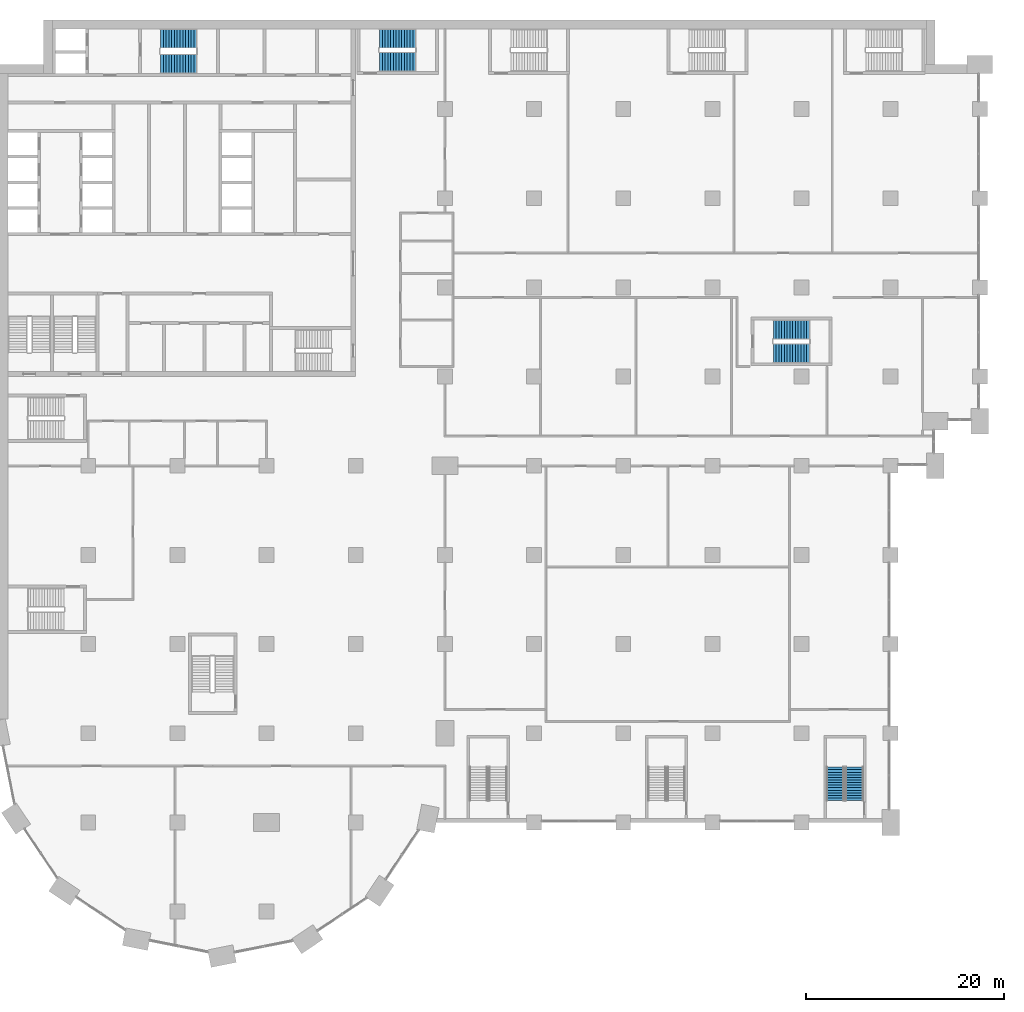
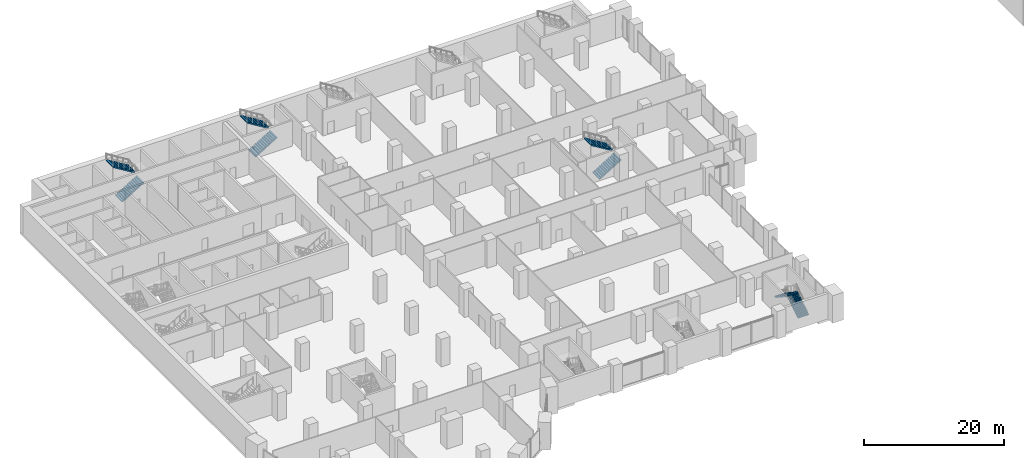
# One storey, part 23 of 31: 8 stair flights, 4 elements without a shape of their own.
"""IFC4 building model written with IfcOpenShell, lengths in metres."""

from ifc_helpers import new_model, si_unit, direction, frame, origin, place, context, subcontext, project, spatial, polyline, outline, extrude, material, type_object, element, aggregate, save


model = new_model("IFC4")

# Units and contexts
model_context = context("Model", 3, precision=1e-05, world=origin(), true_north=direction((0.0, 1.0)))
body_context = subcontext(model_context, "Body", "Model", "MODEL_VIEW")
ifc_project = project(units=[si_unit("LENGTHUNIT", "METRE"), si_unit("AREAUNIT", "SQUARE_METRE"), si_unit("VOLUMEUNIT", "CUBIC_METRE"), si_unit("PLANEANGLEUNIT", "RADIAN"), si_unit("MASSUNIT", "GRAM", prefix="KILO")], contexts=[model_context])

# Site, building, storey
site_placement = place(None, origin())
site = spatial("IfcSite", under=ifc_project, at=site_placement, CompositionType="ELEMENT")
building_placement = place(site_placement, origin())
building = spatial("IfcBuilding", under=site, at=building_placement, Name="Hunhe Ridgeline Campus", CompositionType="ELEMENT")
storey_placement = place(building_placement, frame((0.0, 0.0, 16.800048828125)))
storey = spatial("IfcBuildingStorey", under=building, at=storey_placement, Name="L03", CompositionType="ELEMENT", Elevation=16.800048828125)

# Stair, stair flights
ifc_material = material(Name="Concrete C40", Category="concrete")
stair_type_1 = type_object("IfcStairType", Name="Podium exit stair 1800", PredefinedType="HALF_TURN_STAIR", material=ifc_material)
stair_1_placement = place(storey_placement, origin())
stair_1 = element("IfcStair", 1, at=stair_1_placement, inside=storey, type_object=stair_type_1, Name="L03 podium stair PS3", PredefinedType="HALF_TURN_STAIR")
stair_flight_type_1 = type_object("IfcStairFlightType", Name="Podium stair flight 1800", PredefinedType="STRAIGHT", material=ifc_material)
stair_flight_1_placement = place(storey_placement, frame((86.35009765625, 20.199951171875, 0.0), z_axis=(0.0, 0.0, 1.0), x_axis=(0.0, 1.0, 0.0)))
stair_flight_1 = element("IfcStairFlight", 2, at=stair_flight_1_placement, type_object=stair_flight_type_1, Name="PS3 flight 1", NumberOfRisers=14, NumberOfTreads=13, PredefinedType="STRAIGHT", RiserHeight=0.171428571, TreadLength=0.26, context=body_context, shape_type="SweptSolid", body=[
    extrude(outline(polyline([(0.0, 0.0), (0.0, 0.17138671875), (0.260009765625, 0.17138671875), (0.260009765625, 0.3427734375), (0.52001953125, 0.3427734375), (0.52001953125, 0.514404296875), (0.780029296875, 0.514404296875), (0.780029296875, 0.685791015625), (1.0400390625, 0.685791015625), (1.0400390625, 0.857177734375), (1.300048828125, 0.857177734375), (1.300048828125, 1.028564453125), (1.56005859375, 1.028564453125), (1.56005859375, 1.199951171875), (1.820068359375, 1.199951171875), (1.820068359375, 1.371337890625), (2.080078125, 1.371337890625), (2.080078125, 1.54296875), (2.340087890625, 1.54296875), (2.340087890625, 1.71435546875), (2.60009765625, 1.71435546875), (2.60009765625, 1.8857421875), (2.860107421875, 1.8857421875), (2.860107421875, 2.05712890625), (3.1201171875, 2.05712890625), (3.1201171875, 2.228515625), (3.3798828125, 2.228515625), (3.3798828125, 2.39990234375), (3.3798828125, 2.049072265625), (0.272216796875, 0.0), (0.0, 0.0)])), frame((0.0, 0.89990234375, 0.0), z_axis=(0.0, -1.0, 0.0), x_axis=(1.0, 0.0, 0.0)), (0.0, 0.0, 1.0), 1.800048828125),
])
stair_flight_2_placement = place(storey_placement, frame((84.39990234375, 23.580078125, 2.39990234375), z_axis=(0.0, 0.0, 1.0), x_axis=(0.0, -1.0, 0.0)))
stair_flight_2 = element("IfcStairFlight", 3, at=stair_flight_2_placement, type_object=stair_flight_type_1, Name="PS3 flight 2", NumberOfRisers=14, NumberOfTreads=13, PredefinedType="STRAIGHT", RiserHeight=0.171428571, TreadLength=0.26, context=body_context, shape_type="SweptSolid", body=[
    extrude(outline(polyline([(0.0, 0.0), (0.0, 0.17138671875), (0.260009765625, 0.17138671875), (0.260009765625, 0.3427734375), (0.52001953125, 0.3427734375), (0.52001953125, 0.514404296875), (0.780029296875, 0.514404296875), (0.780029296875, 0.685791015625), (1.0400390625, 0.685791015625), (1.0400390625, 0.857177734375), (1.300048828125, 0.857177734375), (1.300048828125, 1.028564453125), (1.56005859375, 1.028564453125), (1.56005859375, 1.199951171875), (1.820068359375, 1.199951171875), (1.820068359375, 1.371337890625), (2.080078125, 1.371337890625), (2.080078125, 1.54296875), (2.340087890625, 1.54296875), (2.340087890625, 1.71435546875), (2.60009765625, 1.71435546875), (2.60009765625, 1.8857421875), (2.860107421875, 1.8857421875), (2.860107421875, 2.05712890625), (3.1201171875, 2.05712890625), (3.1201171875, 2.228515625), (3.3798828125, 2.228515625), (3.3798828125, 2.39990234375), (3.3798828125, 2.049072265625), (0.272216796875, 0.0), (0.0, 0.0)])), frame((0.0, 0.89990234375, 0.0), z_axis=(0.0, -1.0, 0.0), x_axis=(1.0, 0.0, 0.0)), (0.0, 0.0, 1.0), 1.800048828125),
])
aggregate(stair_1, [stair_flight_1, stair_flight_2])

stair_type_2 = type_object("IfcStairType", Name="Reinforced concrete dog-leg stair 1950 Concrete C40", PredefinedType="HALF_TURN_STAIR", material=ifc_material)
stair_2_placement = place(storey_placement, origin())
stair_2 = element("IfcStair", 4, at=stair_2_placement, inside=storey, type_object=stair_type_2, Name="L03 S1", PredefinedType="HALF_TURN_STAIR")
stair_flight_type_2 = type_object("IfcStairFlightType", Name="Reinforced concrete stair flight 1950 Concrete C40", PredefinedType="STRAIGHT", material=ifc_material)
stair_flight_3_placement = place(storey_placement, frame((16.300048828125, 94.574951171875, 0.0), z_axis=(0.0, 0.0, 1.0), x_axis=(1.0, 0.0, 0.0)))
stair_flight_3 = element("IfcStairFlight", 5, at=stair_flight_3_placement, type_object=stair_flight_type_2, Name="ST1 flight 1", NumberOfRisers=14, NumberOfTreads=13, PredefinedType="STRAIGHT", RiserHeight=0.171428571, TreadLength=0.28, context=body_context, shape_type="SweptSolid", body=[
    extrude(outline(polyline([(0.0, 0.0), (0.0, 0.17138671875), (0.280029296875, 0.17138671875), (0.280029296875, 0.3427734375), (0.56005859375, 0.3427734375), (0.56005859375, 0.514404296875), (0.840087890625, 0.514404296875), (0.840087890625, 0.685791015625), (1.1201171875, 0.685791015625), (1.1201171875, 0.857177734375), (1.39990234375, 0.857177734375), (1.39990234375, 1.028564453125), (1.679931640625, 1.028564453125), (1.679931640625, 1.199951171875), (1.9599609375, 1.199951171875), (1.9599609375, 1.371337890625), (2.239990234375, 1.371337890625), (2.239990234375, 1.54296875), (2.52001953125, 1.54296875), (2.52001953125, 1.71435546875), (2.800048828125, 1.71435546875), (2.800048828125, 1.8857421875), (3.080078125, 1.8857421875), (3.080078125, 2.05712890625), (3.360107421875, 2.05712890625), (3.360107421875, 2.228515625), (3.639892578125, 2.228515625), (3.639892578125, 2.39990234375), (3.639892578125, 2.052734375), (0.287109375, 0.0), (0.0, 0.0)])), frame((0.0, 0.97509765625, 0.0), z_axis=(0.0, -1.0, 0.0), x_axis=(1.0, 0.0, 0.0)), (0.0, 0.0, 1.0), 1.949951171875),
    extrude(outline(polyline([(0.030029296875, 0.030029296875), (0.030029296875, 0.141357421875), (0.31005859375, 0.141357421875), (0.31005859375, 0.31298828125), (0.590087890625, 0.31298828125), (0.590087890625, 0.484375), (0.8701171875, 0.484375), (0.8701171875, 0.65576171875), (1.14990234375, 0.65576171875), (1.14990234375, 0.8271484375), (1.429931640625, 0.8271484375), (1.429931640625, 0.99853515625), (1.7099609375, 0.99853515625), (1.7099609375, 1.169921875), (1.989990234375, 1.169921875), (1.989990234375, 1.34130859375), (2.27001953125, 1.34130859375), (2.27001953125, 1.512939453125), (2.550048828125, 1.512939453125), (2.550048828125, 1.684326171875), (2.830078125, 1.684326171875), (2.830078125, 1.855712890625), (3.110107421875, 1.855712890625), (3.110107421875, 2.027099609375), (3.389892578125, 2.027099609375), (3.389892578125, 2.198486328125), (3.610107421875, 2.198486328125), (3.610107421875, 2.069580078125), (0.278564453125, 0.030029296875), (0.030029296875, 0.030029296875)])), frame((0.0, -0.070068359375, 0.0), z_axis=(0.0, -1.0, 0.0), x_axis=(1.0, 0.0, 0.0)), (0.0, 0.0, 1.0), 0.019775390625),
    extrude(outline(polyline([(0.030029296875, 0.030029296875), (0.030029296875, 0.141357421875), (0.31005859375, 0.141357421875), (0.31005859375, 0.31298828125), (0.590087890625, 0.31298828125), (0.590087890625, 0.484375), (0.8701171875, 0.484375), (0.8701171875, 0.65576171875), (1.14990234375, 0.65576171875), (1.14990234375, 0.8271484375), (1.429931640625, 0.8271484375), (1.429931640625, 0.99853515625), (1.7099609375, 0.99853515625), (1.7099609375, 1.169921875), (1.989990234375, 1.169921875), (1.989990234375, 1.34130859375), (2.27001953125, 1.34130859375), (2.27001953125, 1.512939453125), (2.550048828125, 1.512939453125), (2.550048828125, 1.684326171875), (2.830078125, 1.684326171875), (2.830078125, 1.855712890625), (3.110107421875, 1.855712890625), (3.110107421875, 2.027099609375), (3.389892578125, 2.027099609375), (3.389892578125, 2.198486328125), (3.610107421875, 2.198486328125), (3.610107421875, 2.069580078125), (0.278564453125, 0.030029296875), (0.030029296875, 0.030029296875)])), frame((0.0, 0.010009765625, 0.0), z_axis=(0.0, -1.0, 0.0), x_axis=(1.0, 0.0, 0.0)), (0.0, 0.0, 1.0), 0.019775390625),
    extrude(outline(polyline([(0.030029296875, 0.030029296875), (0.030029296875, 0.141357421875), (0.31005859375, 0.141357421875), (0.31005859375, 0.31298828125), (0.590087890625, 0.31298828125), (0.590087890625, 0.484375), (0.8701171875, 0.484375), (0.8701171875, 0.65576171875), (1.14990234375, 0.65576171875), (1.14990234375, 0.8271484375), (1.429931640625, 0.8271484375), (1.429931640625, 0.99853515625), (1.7099609375, 0.99853515625), (1.7099609375, 1.169921875), (1.989990234375, 1.169921875), (1.989990234375, 1.34130859375), (2.27001953125, 1.34130859375), (2.27001953125, 1.512939453125), (2.550048828125, 1.512939453125), (2.550048828125, 1.684326171875), (2.830078125, 1.684326171875), (2.830078125, 1.855712890625), (3.110107421875, 1.855712890625), (3.110107421875, 2.027099609375), (3.389892578125, 2.027099609375), (3.389892578125, 2.198486328125), (3.610107421875, 2.198486328125), (3.610107421875, 2.069580078125), (0.278564453125, 0.030029296875), (0.030029296875, 0.030029296875)])), frame((0.0, 0.090087890625, 0.0), z_axis=(0.0, -1.0, 0.0), x_axis=(1.0, 0.0, 0.0)), (0.0, 0.0, 1.0), 0.019775390625),
])
stair_flight_4_placement = place(storey_placement, frame((19.93994140625, 97.125, 2.39990234375), z_axis=(0.0, 0.0, 1.0), x_axis=(-1.0, 0.0, 0.0)))
stair_flight_4 = element("IfcStairFlight", 6, at=stair_flight_4_placement, type_object=stair_flight_type_2, Name="ST1 flight 2", NumberOfRisers=14, NumberOfTreads=13, PredefinedType="STRAIGHT", RiserHeight=0.171428571, TreadLength=0.28, context=body_context, shape_type="SweptSolid", body=[
    extrude(outline(polyline([(0.0, 0.0), (0.0, 0.17138671875), (0.280029296875, 0.17138671875), (0.280029296875, 0.3427734375), (0.56005859375, 0.3427734375), (0.56005859375, 0.514404296875), (0.840087890625, 0.514404296875), (0.840087890625, 0.685791015625), (1.1201171875, 0.685791015625), (1.1201171875, 0.857177734375), (1.39990234375, 0.857177734375), (1.39990234375, 1.028564453125), (1.679931640625, 1.028564453125), (1.679931640625, 1.199951171875), (1.9599609375, 1.199951171875), (1.9599609375, 1.371337890625), (2.239990234375, 1.371337890625), (2.239990234375, 1.54296875), (2.52001953125, 1.54296875), (2.52001953125, 1.71435546875), (2.800048828125, 1.71435546875), (2.800048828125, 1.8857421875), (3.080078125, 1.8857421875), (3.080078125, 2.05712890625), (3.360107421875, 2.05712890625), (3.360107421875, 2.228515625), (3.639892578125, 2.228515625), (3.639892578125, 2.39990234375), (3.639892578125, 2.052734375), (0.287109375, 0.0), (0.0, 0.0)])), frame((0.0, 0.97509765625, 0.0), z_axis=(0.0, -1.0, 0.0), x_axis=(1.0, 0.0, 0.0)), (0.0, 0.0, 1.0), 1.949951171875),
    extrude(outline(polyline([(0.030029296875, 0.030029296875), (0.030029296875, 0.141357421875), (0.31005859375, 0.141357421875), (0.31005859375, 0.31298828125), (0.590087890625, 0.31298828125), (0.590087890625, 0.484375), (0.8701171875, 0.484375), (0.8701171875, 0.65576171875), (1.14990234375, 0.65576171875), (1.14990234375, 0.8271484375), (1.429931640625, 0.8271484375), (1.429931640625, 0.99853515625), (1.7099609375, 0.99853515625), (1.7099609375, 1.169921875), (1.989990234375, 1.169921875), (1.989990234375, 1.34130859375), (2.27001953125, 1.34130859375), (2.27001953125, 1.512939453125), (2.550048828125, 1.512939453125), (2.550048828125, 1.684326171875), (2.830078125, 1.684326171875), (2.830078125, 1.855712890625), (3.110107421875, 1.855712890625), (3.110107421875, 2.027099609375), (3.389892578125, 2.027099609375), (3.389892578125, 2.198486328125), (3.610107421875, 2.198486328125), (3.610107421875, 2.069580078125), (0.278564453125, 0.030029296875), (0.030029296875, 0.030029296875)])), frame((0.0, -0.070068359375, 0.0), z_axis=(0.0, -1.0, 0.0), x_axis=(1.0, 0.0, 0.0)), (0.0, 0.0, 1.0), 0.019775390625),
    extrude(outline(polyline([(0.030029296875, 0.030029296875), (0.030029296875, 0.141357421875), (0.31005859375, 0.141357421875), (0.31005859375, 0.31298828125), (0.590087890625, 0.31298828125), (0.590087890625, 0.484375), (0.8701171875, 0.484375), (0.8701171875, 0.65576171875), (1.14990234375, 0.65576171875), (1.14990234375, 0.8271484375), (1.429931640625, 0.8271484375), (1.429931640625, 0.99853515625), (1.7099609375, 0.99853515625), (1.7099609375, 1.169921875), (1.989990234375, 1.169921875), (1.989990234375, 1.34130859375), (2.27001953125, 1.34130859375), (2.27001953125, 1.512939453125), (2.550048828125, 1.512939453125), (2.550048828125, 1.684326171875), (2.830078125, 1.684326171875), (2.830078125, 1.855712890625), (3.110107421875, 1.855712890625), (3.110107421875, 2.027099609375), (3.389892578125, 2.027099609375), (3.389892578125, 2.198486328125), (3.610107421875, 2.198486328125), (3.610107421875, 2.069580078125), (0.278564453125, 0.030029296875), (0.030029296875, 0.030029296875)])), frame((0.0, 0.010009765625, 0.0), z_axis=(0.0, -1.0, 0.0), x_axis=(1.0, 0.0, 0.0)), (0.0, 0.0, 1.0), 0.019775390625),
    extrude(outline(polyline([(0.030029296875, 0.030029296875), (0.030029296875, 0.141357421875), (0.31005859375, 0.141357421875), (0.31005859375, 0.31298828125), (0.590087890625, 0.31298828125), (0.590087890625, 0.484375), (0.8701171875, 0.484375), (0.8701171875, 0.65576171875), (1.14990234375, 0.65576171875), (1.14990234375, 0.8271484375), (1.429931640625, 0.8271484375), (1.429931640625, 0.99853515625), (1.7099609375, 0.99853515625), (1.7099609375, 1.169921875), (1.989990234375, 1.169921875), (1.989990234375, 1.34130859375), (2.27001953125, 1.34130859375), (2.27001953125, 1.512939453125), (2.550048828125, 1.512939453125), (2.550048828125, 1.684326171875), (2.830078125, 1.684326171875), (2.830078125, 1.855712890625), (3.110107421875, 1.855712890625), (3.110107421875, 2.027099609375), (3.389892578125, 2.027099609375), (3.389892578125, 2.198486328125), (3.610107421875, 2.198486328125), (3.610107421875, 2.069580078125), (0.278564453125, 0.030029296875), (0.030029296875, 0.030029296875)])), frame((0.0, 0.090087890625, 0.0), z_axis=(0.0, -1.0, 0.0), x_axis=(1.0, 0.0, 0.0)), (0.0, 0.0, 1.0), 0.019775390625),
])
aggregate(stair_2, [stair_flight_3, stair_flight_4])

stair_3_placement = place(storey_placement, origin())
stair_3 = element("IfcStair", 7, at=stair_3_placement, inside=storey, type_object=stair_type_2, Name="L03 E1", PredefinedType="HALF_TURN_STAIR")
stair_flight_5_placement = place(storey_placement, frame((38.39990234375, 94.77490234375, 0.0), z_axis=(0.0, 0.0, 1.0), x_axis=(1.0, 0.0, 0.0)))
stair_flight_5 = element("IfcStairFlight", 8, at=stair_flight_5_placement, type_object=stair_flight_type_2, Name="ST5 flight 1", NumberOfRisers=14, NumberOfTreads=13, PredefinedType="STRAIGHT", RiserHeight=0.171428571, TreadLength=0.28, context=body_context, shape_type="SweptSolid", body=[
    extrude(outline(polyline([(0.0, 0.0), (0.0, 0.17138671875), (0.280029296875, 0.17138671875), (0.280029296875, 0.3427734375), (0.56005859375, 0.3427734375), (0.56005859375, 0.514404296875), (0.840087890625, 0.514404296875), (0.840087890625, 0.685791015625), (1.1201171875, 0.685791015625), (1.1201171875, 0.857177734375), (1.39990234375, 0.857177734375), (1.39990234375, 1.028564453125), (1.679931640625, 1.028564453125), (1.679931640625, 1.199951171875), (1.9599609375, 1.199951171875), (1.9599609375, 1.371337890625), (2.239990234375, 1.371337890625), (2.239990234375, 1.54296875), (2.52001953125, 1.54296875), (2.52001953125, 1.71435546875), (2.800048828125, 1.71435546875), (2.800048828125, 1.8857421875), (3.080078125, 1.8857421875), (3.080078125, 2.05712890625), (3.360107421875, 2.05712890625), (3.360107421875, 2.228515625), (3.639892578125, 2.228515625), (3.639892578125, 2.39990234375), (3.639892578125, 2.052734375), (0.287109375, 0.0), (0.0, 0.0)])), frame((0.0, 0.97509765625, 0.0), z_axis=(0.0, -1.0, 0.0), x_axis=(1.0, 0.0, 0.0)), (0.0, 0.0, 1.0), 1.949951171875),
    extrude(outline(polyline([(0.030029296875, 0.030029296875), (0.030029296875, 0.141357421875), (0.31005859375, 0.141357421875), (0.31005859375, 0.31298828125), (0.590087890625, 0.31298828125), (0.590087890625, 0.484375), (0.8701171875, 0.484375), (0.8701171875, 0.65576171875), (1.14990234375, 0.65576171875), (1.14990234375, 0.8271484375), (1.429931640625, 0.8271484375), (1.429931640625, 0.99853515625), (1.7099609375, 0.99853515625), (1.7099609375, 1.169921875), (1.989990234375, 1.169921875), (1.989990234375, 1.34130859375), (2.27001953125, 1.34130859375), (2.27001953125, 1.512939453125), (2.550048828125, 1.512939453125), (2.550048828125, 1.684326171875), (2.830078125, 1.684326171875), (2.830078125, 1.855712890625), (3.110107421875, 1.855712890625), (3.110107421875, 2.027099609375), (3.389892578125, 2.027099609375), (3.389892578125, 2.198486328125), (3.610107421875, 2.198486328125), (3.610107421875, 2.069580078125), (0.278564453125, 0.030029296875), (0.030029296875, 0.030029296875)])), frame((0.0, -0.070068359375, 0.0), z_axis=(0.0, -1.0, 0.0), x_axis=(1.0, 0.0, 0.0)), (0.0, 0.0, 1.0), 0.019775390625),
    extrude(outline(polyline([(0.030029296875, 0.030029296875), (0.030029296875, 0.141357421875), (0.31005859375, 0.141357421875), (0.31005859375, 0.31298828125), (0.590087890625, 0.31298828125), (0.590087890625, 0.484375), (0.8701171875, 0.484375), (0.8701171875, 0.65576171875), (1.14990234375, 0.65576171875), (1.14990234375, 0.8271484375), (1.429931640625, 0.8271484375), (1.429931640625, 0.99853515625), (1.7099609375, 0.99853515625), (1.7099609375, 1.169921875), (1.989990234375, 1.169921875), (1.989990234375, 1.34130859375), (2.27001953125, 1.34130859375), (2.27001953125, 1.512939453125), (2.550048828125, 1.512939453125), (2.550048828125, 1.684326171875), (2.830078125, 1.684326171875), (2.830078125, 1.855712890625), (3.110107421875, 1.855712890625), (3.110107421875, 2.027099609375), (3.389892578125, 2.027099609375), (3.389892578125, 2.198486328125), (3.610107421875, 2.198486328125), (3.610107421875, 2.069580078125), (0.278564453125, 0.030029296875), (0.030029296875, 0.030029296875)])), frame((0.0, 0.010009765625, 0.0), z_axis=(0.0, -1.0, 0.0), x_axis=(1.0, 0.0, 0.0)), (0.0, 0.0, 1.0), 0.019775390625),
    extrude(outline(polyline([(0.030029296875, 0.030029296875), (0.030029296875, 0.141357421875), (0.31005859375, 0.141357421875), (0.31005859375, 0.31298828125), (0.590087890625, 0.31298828125), (0.590087890625, 0.484375), (0.8701171875, 0.484375), (0.8701171875, 0.65576171875), (1.14990234375, 0.65576171875), (1.14990234375, 0.8271484375), (1.429931640625, 0.8271484375), (1.429931640625, 0.99853515625), (1.7099609375, 0.99853515625), (1.7099609375, 1.169921875), (1.989990234375, 1.169921875), (1.989990234375, 1.34130859375), (2.27001953125, 1.34130859375), (2.27001953125, 1.512939453125), (2.550048828125, 1.512939453125), (2.550048828125, 1.684326171875), (2.830078125, 1.684326171875), (2.830078125, 1.855712890625), (3.110107421875, 1.855712890625), (3.110107421875, 2.027099609375), (3.389892578125, 2.027099609375), (3.389892578125, 2.198486328125), (3.610107421875, 2.198486328125), (3.610107421875, 2.069580078125), (0.278564453125, 0.030029296875), (0.030029296875, 0.030029296875)])), frame((0.0, 0.090087890625, 0.0), z_axis=(0.0, -1.0, 0.0), x_axis=(1.0, 0.0, 0.0)), (0.0, 0.0, 1.0), 0.019775390625),
])
stair_flight_6_placement = place(storey_placement, frame((42.0400390625, 97.125, 2.39990234375), z_axis=(0.0, 0.0, 1.0), x_axis=(-1.0, 0.0, 0.0)))
stair_flight_6 = element("IfcStairFlight", 9, at=stair_flight_6_placement, type_object=stair_flight_type_2, Name="ST5 flight 2", NumberOfRisers=14, NumberOfTreads=13, PredefinedType="STRAIGHT", RiserHeight=0.171428571, TreadLength=0.28, context=body_context, shape_type="SweptSolid", body=[
    extrude(outline(polyline([(0.0, 0.0), (0.0, 0.17138671875), (0.280029296875, 0.17138671875), (0.280029296875, 0.3427734375), (0.56005859375, 0.3427734375), (0.56005859375, 0.514404296875), (0.840087890625, 0.514404296875), (0.840087890625, 0.685791015625), (1.1201171875, 0.685791015625), (1.1201171875, 0.857177734375), (1.39990234375, 0.857177734375), (1.39990234375, 1.028564453125), (1.679931640625, 1.028564453125), (1.679931640625, 1.199951171875), (1.9599609375, 1.199951171875), (1.9599609375, 1.371337890625), (2.239990234375, 1.371337890625), (2.239990234375, 1.54296875), (2.52001953125, 1.54296875), (2.52001953125, 1.71435546875), (2.800048828125, 1.71435546875), (2.800048828125, 1.8857421875), (3.080078125, 1.8857421875), (3.080078125, 2.05712890625), (3.360107421875, 2.05712890625), (3.360107421875, 2.228515625), (3.639892578125, 2.228515625), (3.639892578125, 2.39990234375), (3.639892578125, 2.052734375), (0.287109375, 0.0), (0.0, 0.0)])), frame((0.0, 0.97509765625, 0.0), z_axis=(0.0, -1.0, 0.0), x_axis=(1.0, 0.0, 0.0)), (0.0, 0.0, 1.0), 1.949951171875),
    extrude(outline(polyline([(0.030029296875, 0.030029296875), (0.030029296875, 0.141357421875), (0.31005859375, 0.141357421875), (0.31005859375, 0.31298828125), (0.590087890625, 0.31298828125), (0.590087890625, 0.484375), (0.8701171875, 0.484375), (0.8701171875, 0.65576171875), (1.14990234375, 0.65576171875), (1.14990234375, 0.8271484375), (1.429931640625, 0.8271484375), (1.429931640625, 0.99853515625), (1.7099609375, 0.99853515625), (1.7099609375, 1.169921875), (1.989990234375, 1.169921875), (1.989990234375, 1.34130859375), (2.27001953125, 1.34130859375), (2.27001953125, 1.512939453125), (2.550048828125, 1.512939453125), (2.550048828125, 1.684326171875), (2.830078125, 1.684326171875), (2.830078125, 1.855712890625), (3.110107421875, 1.855712890625), (3.110107421875, 2.027099609375), (3.389892578125, 2.027099609375), (3.389892578125, 2.198486328125), (3.610107421875, 2.198486328125), (3.610107421875, 2.069580078125), (0.278564453125, 0.030029296875), (0.030029296875, 0.030029296875)])), frame((0.0, -0.070068359375, 0.0), z_axis=(0.0, -1.0, 0.0), x_axis=(1.0, 0.0, 0.0)), (0.0, 0.0, 1.0), 0.019775390625),
    extrude(outline(polyline([(0.030029296875, 0.030029296875), (0.030029296875, 0.141357421875), (0.31005859375, 0.141357421875), (0.31005859375, 0.31298828125), (0.590087890625, 0.31298828125), (0.590087890625, 0.484375), (0.8701171875, 0.484375), (0.8701171875, 0.65576171875), (1.14990234375, 0.65576171875), (1.14990234375, 0.8271484375), (1.429931640625, 0.8271484375), (1.429931640625, 0.99853515625), (1.7099609375, 0.99853515625), (1.7099609375, 1.169921875), (1.989990234375, 1.169921875), (1.989990234375, 1.34130859375), (2.27001953125, 1.34130859375), (2.27001953125, 1.512939453125), (2.550048828125, 1.512939453125), (2.550048828125, 1.684326171875), (2.830078125, 1.684326171875), (2.830078125, 1.855712890625), (3.110107421875, 1.855712890625), (3.110107421875, 2.027099609375), (3.389892578125, 2.027099609375), (3.389892578125, 2.198486328125), (3.610107421875, 2.198486328125), (3.610107421875, 2.069580078125), (0.278564453125, 0.030029296875), (0.030029296875, 0.030029296875)])), frame((0.0, 0.010009765625, 0.0), z_axis=(0.0, -1.0, 0.0), x_axis=(1.0, 0.0, 0.0)), (0.0, 0.0, 1.0), 0.019775390625),
    extrude(outline(polyline([(0.030029296875, 0.030029296875), (0.030029296875, 0.141357421875), (0.31005859375, 0.141357421875), (0.31005859375, 0.31298828125), (0.590087890625, 0.31298828125), (0.590087890625, 0.484375), (0.8701171875, 0.484375), (0.8701171875, 0.65576171875), (1.14990234375, 0.65576171875), (1.14990234375, 0.8271484375), (1.429931640625, 0.8271484375), (1.429931640625, 0.99853515625), (1.7099609375, 0.99853515625), (1.7099609375, 1.169921875), (1.989990234375, 1.169921875), (1.989990234375, 1.34130859375), (2.27001953125, 1.34130859375), (2.27001953125, 1.512939453125), (2.550048828125, 1.512939453125), (2.550048828125, 1.684326171875), (2.830078125, 1.684326171875), (2.830078125, 1.855712890625), (3.110107421875, 1.855712890625), (3.110107421875, 2.027099609375), (3.389892578125, 2.027099609375), (3.389892578125, 2.198486328125), (3.610107421875, 2.198486328125), (3.610107421875, 2.069580078125), (0.278564453125, 0.030029296875), (0.030029296875, 0.030029296875)])), frame((0.0, 0.090087890625, 0.0), z_axis=(0.0, -1.0, 0.0), x_axis=(1.0, 0.0, 0.0)), (0.0, 0.0, 1.0), 0.019775390625),
])
aggregate(stair_3, [stair_flight_5, stair_flight_6])

stair_4_placement = place(storey_placement, origin())
stair_4 = element("IfcStair", 10, at=stair_4_placement, inside=storey, type_object=stair_type_2, Name="L03 E5", PredefinedType="HALF_TURN_STAIR")
stair_flight_7_placement = place(storey_placement, frame((78.14990234375, 65.375, 0.0), z_axis=(0.0, 0.0, 1.0), x_axis=(1.0, 0.0, 0.0)))
stair_flight_7 = element("IfcStairFlight", 11, at=stair_flight_7_placement, type_object=stair_flight_type_2, Name="ST10 flight 1", NumberOfRisers=14, NumberOfTreads=13, PredefinedType="STRAIGHT", RiserHeight=0.171428571, TreadLength=0.28, context=body_context, shape_type="SweptSolid", body=[
    extrude(outline(polyline([(0.0, 0.0), (0.0, 0.17138671875), (0.280029296875, 0.17138671875), (0.280029296875, 0.3427734375), (0.56005859375, 0.3427734375), (0.56005859375, 0.514404296875), (0.840087890625, 0.514404296875), (0.840087890625, 0.685791015625), (1.1201171875, 0.685791015625), (1.1201171875, 0.857177734375), (1.39990234375, 0.857177734375), (1.39990234375, 1.028564453125), (1.679931640625, 1.028564453125), (1.679931640625, 1.199951171875), (1.9599609375, 1.199951171875), (1.9599609375, 1.371337890625), (2.239990234375, 1.371337890625), (2.239990234375, 1.54296875), (2.52001953125, 1.54296875), (2.52001953125, 1.71435546875), (2.800048828125, 1.71435546875), (2.800048828125, 1.8857421875), (3.080078125, 1.8857421875), (3.080078125, 2.05712890625), (3.360107421875, 2.05712890625), (3.360107421875, 2.228515625), (3.639892578125, 2.228515625), (3.639892578125, 2.39990234375), (3.639892578125, 2.052734375), (0.287109375, 0.0), (0.0, 0.0)])), frame((0.0, 0.97509765625, 0.0), z_axis=(0.0, -1.0, 0.0), x_axis=(1.0, 0.0, 0.0)), (0.0, 0.0, 1.0), 1.949951171875),
    extrude(outline(polyline([(0.030029296875, 0.030029296875), (0.030029296875, 0.141357421875), (0.31005859375, 0.141357421875), (0.31005859375, 0.31298828125), (0.590087890625, 0.31298828125), (0.590087890625, 0.484375), (0.8701171875, 0.484375), (0.8701171875, 0.65576171875), (1.14990234375, 0.65576171875), (1.14990234375, 0.8271484375), (1.429931640625, 0.8271484375), (1.429931640625, 0.99853515625), (1.7099609375, 0.99853515625), (1.7099609375, 1.169921875), (1.989990234375, 1.169921875), (1.989990234375, 1.34130859375), (2.27001953125, 1.34130859375), (2.27001953125, 1.512939453125), (2.550048828125, 1.512939453125), (2.550048828125, 1.684326171875), (2.830078125, 1.684326171875), (2.830078125, 1.855712890625), (3.110107421875, 1.855712890625), (3.110107421875, 2.027099609375), (3.389892578125, 2.027099609375), (3.389892578125, 2.198486328125), (3.610107421875, 2.198486328125), (3.610107421875, 2.069580078125), (0.278564453125, 0.030029296875), (0.030029296875, 0.030029296875)])), frame((0.0, -0.070068359375, 0.0), z_axis=(0.0, -1.0, 0.0), x_axis=(1.0, 0.0, 0.0)), (0.0, 0.0, 1.0), 0.019775390625),
    extrude(outline(polyline([(0.030029296875, 0.030029296875), (0.030029296875, 0.141357421875), (0.31005859375, 0.141357421875), (0.31005859375, 0.31298828125), (0.590087890625, 0.31298828125), (0.590087890625, 0.484375), (0.8701171875, 0.484375), (0.8701171875, 0.65576171875), (1.14990234375, 0.65576171875), (1.14990234375, 0.8271484375), (1.429931640625, 0.8271484375), (1.429931640625, 0.99853515625), (1.7099609375, 0.99853515625), (1.7099609375, 1.169921875), (1.989990234375, 1.169921875), (1.989990234375, 1.34130859375), (2.27001953125, 1.34130859375), (2.27001953125, 1.512939453125), (2.550048828125, 1.512939453125), (2.550048828125, 1.684326171875), (2.830078125, 1.684326171875), (2.830078125, 1.855712890625), (3.110107421875, 1.855712890625), (3.110107421875, 2.027099609375), (3.389892578125, 2.027099609375), (3.389892578125, 2.198486328125), (3.610107421875, 2.198486328125), (3.610107421875, 2.069580078125), (0.278564453125, 0.030029296875), (0.030029296875, 0.030029296875)])), frame((0.0, 0.010009765625, 0.0), z_axis=(0.0, -1.0, 0.0), x_axis=(1.0, 0.0, 0.0)), (0.0, 0.0, 1.0), 0.019775390625),
    extrude(outline(polyline([(0.030029296875, 0.030029296875), (0.030029296875, 0.141357421875), (0.31005859375, 0.141357421875), (0.31005859375, 0.31298828125), (0.590087890625, 0.31298828125), (0.590087890625, 0.484375), (0.8701171875, 0.484375), (0.8701171875, 0.65576171875), (1.14990234375, 0.65576171875), (1.14990234375, 0.8271484375), (1.429931640625, 0.8271484375), (1.429931640625, 0.99853515625), (1.7099609375, 0.99853515625), (1.7099609375, 1.169921875), (1.989990234375, 1.169921875), (1.989990234375, 1.34130859375), (2.27001953125, 1.34130859375), (2.27001953125, 1.512939453125), (2.550048828125, 1.512939453125), (2.550048828125, 1.684326171875), (2.830078125, 1.684326171875), (2.830078125, 1.855712890625), (3.110107421875, 1.855712890625), (3.110107421875, 2.027099609375), (3.389892578125, 2.027099609375), (3.389892578125, 2.198486328125), (3.610107421875, 2.198486328125), (3.610107421875, 2.069580078125), (0.278564453125, 0.030029296875), (0.030029296875, 0.030029296875)])), frame((0.0, 0.090087890625, 0.0), z_axis=(0.0, -1.0, 0.0), x_axis=(1.0, 0.0, 0.0)), (0.0, 0.0, 1.0), 0.019775390625),
])
stair_flight_8_placement = place(storey_placement, frame((81.7900390625, 67.72509765625, 2.39990234375), z_axis=(0.0, 0.0, 1.0), x_axis=(-1.0, 0.0, 0.0)))
stair_flight_8 = element("IfcStairFlight", 12, at=stair_flight_8_placement, type_object=stair_flight_type_2, Name="ST10 flight 2", NumberOfRisers=14, NumberOfTreads=13, PredefinedType="STRAIGHT", RiserHeight=0.171428571, TreadLength=0.28, context=body_context, shape_type="SweptSolid", body=[
    extrude(outline(polyline([(0.0, 0.0), (0.0, 0.17138671875), (0.280029296875, 0.17138671875), (0.280029296875, 0.3427734375), (0.56005859375, 0.3427734375), (0.56005859375, 0.514404296875), (0.840087890625, 0.514404296875), (0.840087890625, 0.685791015625), (1.1201171875, 0.685791015625), (1.1201171875, 0.857177734375), (1.39990234375, 0.857177734375), (1.39990234375, 1.028564453125), (1.679931640625, 1.028564453125), (1.679931640625, 1.199951171875), (1.9599609375, 1.199951171875), (1.9599609375, 1.371337890625), (2.239990234375, 1.371337890625), (2.239990234375, 1.54296875), (2.52001953125, 1.54296875), (2.52001953125, 1.71435546875), (2.800048828125, 1.71435546875), (2.800048828125, 1.8857421875), (3.080078125, 1.8857421875), (3.080078125, 2.05712890625), (3.360107421875, 2.05712890625), (3.360107421875, 2.228515625), (3.639892578125, 2.228515625), (3.639892578125, 2.39990234375), (3.639892578125, 2.052734375), (0.287109375, 0.0), (0.0, 0.0)])), frame((0.0, 0.97509765625, 0.0), z_axis=(0.0, -1.0, 0.0), x_axis=(1.0, 0.0, 0.0)), (0.0, 0.0, 1.0), 1.949951171875),
    extrude(outline(polyline([(0.030029296875, 0.030029296875), (0.030029296875, 0.141357421875), (0.31005859375, 0.141357421875), (0.31005859375, 0.31298828125), (0.590087890625, 0.31298828125), (0.590087890625, 0.484375), (0.8701171875, 0.484375), (0.8701171875, 0.65576171875), (1.14990234375, 0.65576171875), (1.14990234375, 0.8271484375), (1.429931640625, 0.8271484375), (1.429931640625, 0.99853515625), (1.7099609375, 0.99853515625), (1.7099609375, 1.169921875), (1.989990234375, 1.169921875), (1.989990234375, 1.34130859375), (2.27001953125, 1.34130859375), (2.27001953125, 1.512939453125), (2.550048828125, 1.512939453125), (2.550048828125, 1.684326171875), (2.830078125, 1.684326171875), (2.830078125, 1.855712890625), (3.110107421875, 1.855712890625), (3.110107421875, 2.027099609375), (3.389892578125, 2.027099609375), (3.389892578125, 2.198486328125), (3.610107421875, 2.198486328125), (3.610107421875, 2.069580078125), (0.278564453125, 0.030029296875), (0.030029296875, 0.030029296875)])), frame((0.0, -0.070068359375, 0.0), z_axis=(0.0, -1.0, 0.0), x_axis=(1.0, 0.0, 0.0)), (0.0, 0.0, 1.0), 0.019775390625),
    extrude(outline(polyline([(0.030029296875, 0.030029296875), (0.030029296875, 0.141357421875), (0.31005859375, 0.141357421875), (0.31005859375, 0.31298828125), (0.590087890625, 0.31298828125), (0.590087890625, 0.484375), (0.8701171875, 0.484375), (0.8701171875, 0.65576171875), (1.14990234375, 0.65576171875), (1.14990234375, 0.8271484375), (1.429931640625, 0.8271484375), (1.429931640625, 0.99853515625), (1.7099609375, 0.99853515625), (1.7099609375, 1.169921875), (1.989990234375, 1.169921875), (1.989990234375, 1.34130859375), (2.27001953125, 1.34130859375), (2.27001953125, 1.512939453125), (2.550048828125, 1.512939453125), (2.550048828125, 1.684326171875), (2.830078125, 1.684326171875), (2.830078125, 1.855712890625), (3.110107421875, 1.855712890625), (3.110107421875, 2.027099609375), (3.389892578125, 2.027099609375), (3.389892578125, 2.198486328125), (3.610107421875, 2.198486328125), (3.610107421875, 2.069580078125), (0.278564453125, 0.030029296875), (0.030029296875, 0.030029296875)])), frame((0.0, 0.010009765625, 0.0), z_axis=(0.0, -1.0, 0.0), x_axis=(1.0, 0.0, 0.0)), (0.0, 0.0, 1.0), 0.019775390625),
    extrude(outline(polyline([(0.030029296875, 0.030029296875), (0.030029296875, 0.141357421875), (0.31005859375, 0.141357421875), (0.31005859375, 0.31298828125), (0.590087890625, 0.31298828125), (0.590087890625, 0.484375), (0.8701171875, 0.484375), (0.8701171875, 0.65576171875), (1.14990234375, 0.65576171875), (1.14990234375, 0.8271484375), (1.429931640625, 0.8271484375), (1.429931640625, 0.99853515625), (1.7099609375, 0.99853515625), (1.7099609375, 1.169921875), (1.989990234375, 1.169921875), (1.989990234375, 1.34130859375), (2.27001953125, 1.34130859375), (2.27001953125, 1.512939453125), (2.550048828125, 1.512939453125), (2.550048828125, 1.684326171875), (2.830078125, 1.684326171875), (2.830078125, 1.855712890625), (3.110107421875, 1.855712890625), (3.110107421875, 2.027099609375), (3.389892578125, 2.027099609375), (3.389892578125, 2.198486328125), (3.610107421875, 2.198486328125), (3.610107421875, 2.069580078125), (0.278564453125, 0.030029296875), (0.030029296875, 0.030029296875)])), frame((0.0, 0.090087890625, 0.0), z_axis=(0.0, -1.0, 0.0), x_axis=(1.0, 0.0, 0.0)), (0.0, 0.0, 1.0), 0.019775390625),
])
aggregate(stair_4, [stair_flight_7, stair_flight_8])

save(model, "model.ifc")
